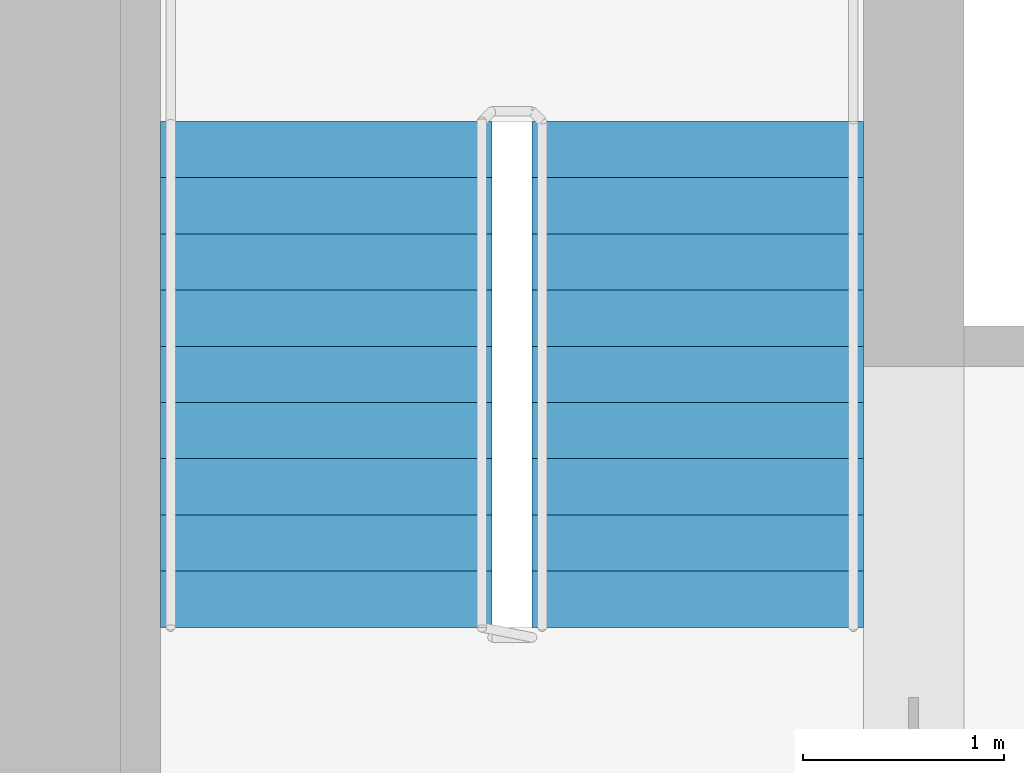
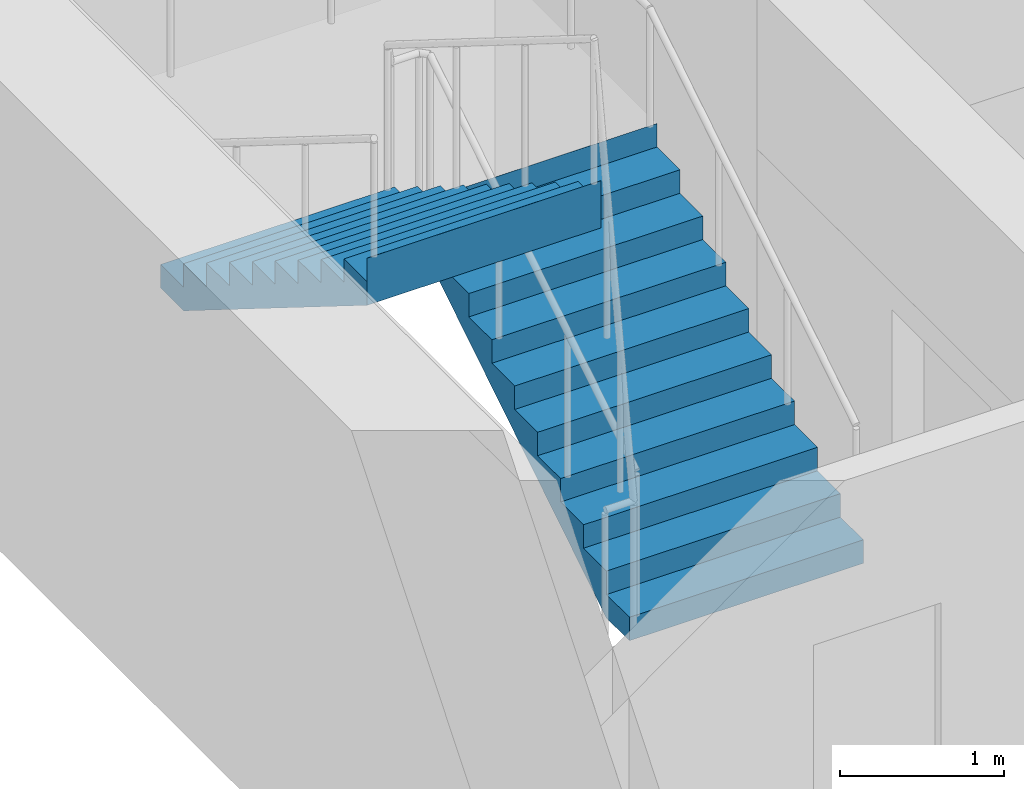
# One storey, part 13 of 14: 2 stair flights, 1 element without a shape of its own.
"""IFC4 building model written with IfcOpenShell, lengths in metres."""

from ifc_helpers import new_model, si_unit, direction, frame, origin, place, context, subcontext, project, spatial, polyline, outline, extrude, material, type_object, element, aggregate, save


model = new_model("IFC4")

# Units and contexts
model_context = context("Model", 3, precision=1e-05, world=origin(), true_north=direction((0.0, 1.0)))
body_context = subcontext(model_context, "Body", "Model", "MODEL_VIEW")
ifc_project = project(units=[si_unit("LENGTHUNIT", "METRE"), si_unit("AREAUNIT", "SQUARE_METRE"), si_unit("VOLUMEUNIT", "CUBIC_METRE"), si_unit("PLANEANGLEUNIT", "RADIAN"), si_unit("MASSUNIT", "GRAM", prefix="KILO")], contexts=[model_context])

# Site, building, storey
site_placement = place(None, origin())
site = spatial("IfcSite", under=ifc_project, at=site_placement, CompositionType="ELEMENT")
building_placement = place(site_placement, origin())
building = spatial("IfcBuilding", under=site, at=building_placement, Name="Tamorin Gate", CompositionType="ELEMENT")
storey_placement = place(building_placement, frame((0.0, 0.0, 203.699951171875)))
storey = spatial("IfcBuildingStorey", under=building, at=storey_placement, Name="L50", CompositionType="ELEMENT", Elevation=203.699951171875)

# Stair, stair flights
ifc_material = material(Name="Concrete C40/50", Category="concrete")
stair_type = type_object("IfcStairType", Name="Exit stair", PredefinedType="HALF_TURN_STAIR", material=ifc_material)
stair_placement = place(storey_placement, origin())
stair = element("IfcStair", 1, at=stair_placement, inside=storey, type_object=stair_type, Name="L50 stair ST2", PredefinedType="HALF_TURN_STAIR")
stair_flight_type = type_object("IfcStairFlightType", Name="Exit stair flight", PredefinedType="STRAIGHT", material=ifc_material)
stair_flight_1_placement = place(storey_placement, frame((33.675048828125, 77.0, 0.0), z_axis=(0.0, 0.0, 1.0), x_axis=(0.0, 1.0, 0.0)))
stair_flight_1 = element("IfcStairFlight", 2, at=stair_flight_1_placement, type_object=stair_flight_type, Name="ST2 flight 1", NumberOfRisers=10, NumberOfTreads=9, PredefinedType="STRAIGHT", RiserHeight=0.175, TreadLength=0.28, context=body_context, shape_type="SweptSolid", body=[
    extrude(outline(polyline([(-0.00048828125, 0.0), (-0.00048828125, 0.001708984375), (-0.00048828125, 0.00341796875), (-0.00048828125, 0.005126953125), (-0.00048828125, 0.0068359375), (-0.00048828125, 0.008544921875), (-0.00048828125, 0.010498046875), (-0.00048828125, 0.01220703125), (-0.00048828125, 0.013916015625), (-0.00048828125, 0.015625), (-0.00048828125, 0.017333984375), (-0.00048828125, 0.01904296875), (-0.00048828125, 0.020751953125), (-0.00048828125, 0.0224609375), (-0.00048828125, 0.024169921875), (-0.00048828125, 0.02587890625), (-0.00048828125, 0.02783203125), (-0.00048828125, 0.029541015625), (-0.00048828125, 0.03125), (-0.00048828125, 0.032958984375), (-0.00048828125, 0.03466796875), (-0.00048828125, 0.036376953125), (-0.00048828125, 0.0380859375), (-0.00048828125, 0.039794921875), (-0.00048828125, 0.04150390625), (-0.00048828125, 0.043212890625), (-0.00048828125, 0.045166015625), (-0.00048828125, 0.046875), (-0.00048828125, 0.048583984375), (-0.00048828125, 0.05029296875), (-0.00048828125, 0.052001953125), (-0.00048828125, 0.0537109375), (-0.00048828125, 0.055419921875), (-0.00048828125, 0.05712890625), (-0.00048828125, 0.058837890625), (-0.00048828125, 0.060546875), (-0.00048828125, 0.062255859375), (-0.00048828125, 0.064208984375), (-0.00048828125, 0.06591796875), (-0.00048828125, 0.067626953125), (-0.00048828125, 0.0693359375), (-0.00048828125, 0.071044921875), (-0.00048828125, 0.07275390625), (-0.00048828125, 0.074462890625), (-0.00048828125, 0.076171875), (-0.00048828125, 0.077880859375), (-0.00048828125, 0.07958984375), (-0.00048828125, 0.08154296875), (-0.00048828125, 0.083251953125), (-0.00048828125, 0.0849609375), (-0.00048828125, 0.086669921875), (-0.00048828125, 0.08837890625), (-0.00048828125, 0.090087890625), (-0.00048828125, 0.091796875), (-0.00048828125, 0.093505859375), (-0.00048828125, 0.09521484375), (-0.00048828125, 0.096923828125), (-0.00048828125, 0.098876953125), (-0.00048828125, 0.1005859375), (-0.00048828125, 0.102294921875), (-0.00048828125, 0.10400390625), (-0.00048828125, 0.105712890625), (-0.00048828125, 0.107421875), (-0.00048828125, 0.109130859375), (-0.00048828125, 0.11083984375), (-0.00048828125, 0.112548828125), (-0.00048828125, 0.1142578125), (-0.00048828125, 0.1162109375), (-0.00048828125, 0.117919921875), (-0.00048828125, 0.11962890625), (-0.00048828125, 0.121337890625), (-0.00048828125, 0.123046875), (-0.00048828125, 0.124755859375), (-0.00048828125, 0.12646484375), (-0.00048828125, 0.128173828125), (-0.00048828125, 0.1298828125), (-0.00048828125, 0.131591796875), (-0.00048828125, 0.13330078125), (-0.00048828125, 0.13525390625), (-0.00048828125, 0.136962890625), (-0.00048828125, 0.138671875), (-0.00048828125, 0.140380859375), (-0.00048828125, 0.14208984375), (-0.00048828125, 0.143798828125), (-0.00048828125, 0.1455078125), (-0.00048828125, 0.147216796875), (-0.00048828125, 0.14892578125), (-0.00048828125, 0.150634765625), (-0.00048828125, 0.152587890625), (-0.00048828125, 0.154296875), (-0.00048828125, 0.156005859375), (-0.00048828125, 0.15771484375), (-0.00048828125, 0.159423828125), (-0.00048828125, 0.1611328125), (-0.00048828125, 0.162841796875), (-0.00048828125, 0.16455078125), (-0.00048828125, 0.166259765625), (-0.00048828125, 0.16796875), (-0.00048828125, 0.169921875), (-0.00048828125, 0.171630859375), (-0.00048828125, 0.17333984375), (-0.00048828125, 0.175048828125), (0.280029296875, 0.175048828125), (0.280029296875, 0.35009765625), (0.56005859375, 0.35009765625), (0.56005859375, 0.52490234375), (0.840087890625, 0.52490234375), (0.840087890625, 0.699951171875), (1.1201171875, 0.699951171875), (1.1201171875, 0.875), (1.39990234375, 0.875), (1.39990234375, 1.050048828125), (1.679931640625, 1.050048828125), (1.679931640625, 1.22509765625), (1.9599609375, 1.22509765625), (1.9599609375, 1.39990234375), (2.239990234375, 1.39990234375), (2.239990234375, 1.574951171875), (2.52001953125, 1.574951171875), (2.52001953125, 1.75), (2.5205078125, 1.75), (2.5205078125, 1.74658203125), (2.5205078125, 1.742919921875), (2.5205078125, 1.739501953125), (2.5205078125, 1.736083984375), (2.5205078125, 1.732666015625), (2.5205078125, 1.72900390625), (2.5205078125, 1.7255859375), (2.5205078125, 1.72216796875), (2.5205078125, 1.71875), (2.5205078125, 1.715087890625), (2.5205078125, 1.711669921875), (2.5205078125, 1.708251953125), (2.5205078125, 1.704833984375), (2.5205078125, 1.701171875), (2.5205078125, 1.69775390625), (2.5205078125, 1.6943359375), (2.5205078125, 1.690673828125), (2.5205078125, 1.687255859375), (2.5205078125, 1.683837890625), (2.5205078125, 1.680419921875), (2.5205078125, 1.6767578125), (2.5205078125, 1.67333984375), (2.5205078125, 1.669921875), (2.5205078125, 1.66650390625), (2.5205078125, 1.662841796875), (2.5205078125, 1.659423828125), (2.5205078125, 1.656005859375), (2.5205078125, 1.652587890625), (2.5205078125, 1.64892578125), (2.5205078125, 1.6455078125), (2.5205078125, 1.64208984375), (2.5205078125, 1.638427734375), (2.5205078125, 1.635009765625), (2.5205078125, 1.631591796875), (2.5205078125, 1.628173828125), (2.5205078125, 1.62451171875), (2.5205078125, 1.62109375), (2.5205078125, 1.61767578125), (2.5205078125, 1.6142578125), (2.5205078125, 1.610595703125), (2.5205078125, 1.607177734375), (2.5205078125, 1.603759765625), (2.5205078125, 1.600341796875), (2.5205078125, 1.5966796875), (2.5205078125, 1.59326171875), (2.5205078125, 1.58984375), (2.5205078125, 1.58642578125), (2.5205078125, 1.582763671875), (2.5205078125, 1.579345703125), (2.5205078125, 1.575927734375), (2.5205078125, 1.572265625), (2.5205078125, 1.56884765625), (2.5205078125, 1.5654296875), (2.5205078125, 1.56201171875), (2.5205078125, 1.558349609375), (2.5205078125, 1.554931640625), (2.5205078125, 1.551513671875), (2.5205078125, 1.548095703125), (2.5205078125, 1.54443359375), (2.5205078125, 1.541015625), (2.5205078125, 1.53759765625), (2.5205078125, 1.5341796875), (2.5205078125, 1.530517578125), (2.5205078125, 1.527099609375), (2.5205078125, 1.523681640625), (2.5205078125, 1.52001953125), (2.5205078125, 1.5166015625), (2.5205078125, 1.51318359375), (2.5205078125, 1.509765625), (2.5205078125, 1.506103515625), (2.5205078125, 1.502685546875), (2.5205078125, 1.499267578125), (2.5205078125, 1.495849609375), (2.5205078125, 1.4921875), (2.5205078125, 1.48876953125), (2.5205078125, 1.4853515625), (2.5205078125, 1.48193359375), (2.5205078125, 1.478271484375), (2.5205078125, 1.474853515625), (2.5205078125, 1.471435546875), (2.5205078125, 1.4677734375), (2.5205078125, 1.46435546875), (2.5205078125, 1.4609375), (2.5205078125, 1.45751953125), (2.5205078125, 1.453857421875), (2.5205078125, 1.450439453125), (2.5205078125, 1.447021484375), (2.5205078125, 1.443603515625), (2.5205078125, 1.43994140625), (2.5205078125, 1.4365234375), (2.5205078125, 1.43310546875), (2.5205078125, 1.4296875), (2.5205078125, 1.426025390625), (2.5205078125, 1.422607421875), (2.5205078125, 1.419189453125), (2.5205078125, 1.41552734375), (2.5205078125, 1.412109375), (2.5205078125, 1.40869140625), (2.5205078125, 1.4052734375), (2.5205078125, 1.401611328125), (2.5205078125, 1.398193359375), (2.52001953125, 1.398193359375), (0.28271484375, 0.0), (-0.00048828125, 0.0)])), frame((0.0, 0.824951171875, 0.0), z_axis=(0.0, -1.0, 0.0), x_axis=(1.0, 0.0, 0.0)), (0.0, 0.0, 1.0), 1.64990234375),
])
stair_flight_2_placement = place(storey_placement, frame((31.824951171875, 79.52001953125, 1.75), z_axis=(0.0, 0.0, 1.0), x_axis=(0.0, -1.0, 0.0)))
stair_flight_2 = element("IfcStairFlight", 3, at=stair_flight_2_placement, type_object=stair_flight_type, Name="ST2 flight 2", NumberOfRisers=10, NumberOfTreads=9, PredefinedType="STRAIGHT", RiserHeight=0.175, TreadLength=0.28, context=body_context, shape_type="SweptSolid", body=[
    extrude(outline(polyline([(-0.00048828125, 0.0), (-0.00048828125, 0.001708984375), (-0.00048828125, 0.00341796875), (-0.00048828125, 0.005126953125), (-0.00048828125, 0.0068359375), (-0.00048828125, 0.008544921875), (-0.00048828125, 0.010498046875), (-0.00048828125, 0.01220703125), (-0.00048828125, 0.013916015625), (-0.00048828125, 0.015625), (-0.00048828125, 0.017333984375), (-0.00048828125, 0.01904296875), (-0.00048828125, 0.020751953125), (-0.00048828125, 0.0224609375), (-0.00048828125, 0.024169921875), (-0.00048828125, 0.02587890625), (-0.00048828125, 0.02783203125), (-0.00048828125, 0.029541015625), (-0.00048828125, 0.03125), (-0.00048828125, 0.032958984375), (-0.00048828125, 0.03466796875), (-0.00048828125, 0.036376953125), (-0.00048828125, 0.0380859375), (-0.00048828125, 0.039794921875), (-0.00048828125, 0.04150390625), (-0.00048828125, 0.043212890625), (-0.00048828125, 0.045166015625), (-0.00048828125, 0.046875), (-0.00048828125, 0.048583984375), (-0.00048828125, 0.05029296875), (-0.00048828125, 0.052001953125), (-0.00048828125, 0.0537109375), (-0.00048828125, 0.055419921875), (-0.00048828125, 0.05712890625), (-0.00048828125, 0.058837890625), (-0.00048828125, 0.060546875), (-0.00048828125, 0.062255859375), (-0.00048828125, 0.064208984375), (-0.00048828125, 0.06591796875), (-0.00048828125, 0.067626953125), (-0.00048828125, 0.0693359375), (-0.00048828125, 0.071044921875), (-0.00048828125, 0.07275390625), (-0.00048828125, 0.074462890625), (-0.00048828125, 0.076171875), (-0.00048828125, 0.077880859375), (-0.00048828125, 0.07958984375), (-0.00048828125, 0.08154296875), (-0.00048828125, 0.083251953125), (-0.00048828125, 0.0849609375), (-0.00048828125, 0.086669921875), (-0.00048828125, 0.08837890625), (-0.00048828125, 0.090087890625), (-0.00048828125, 0.091796875), (-0.00048828125, 0.093505859375), (-0.00048828125, 0.09521484375), (-0.00048828125, 0.096923828125), (-0.00048828125, 0.098876953125), (-0.00048828125, 0.1005859375), (-0.00048828125, 0.102294921875), (-0.00048828125, 0.10400390625), (-0.00048828125, 0.105712890625), (-0.00048828125, 0.107421875), (-0.00048828125, 0.109130859375), (-0.00048828125, 0.11083984375), (-0.00048828125, 0.112548828125), (-0.00048828125, 0.1142578125), (-0.00048828125, 0.1162109375), (-0.00048828125, 0.117919921875), (-0.00048828125, 0.11962890625), (-0.00048828125, 0.121337890625), (-0.00048828125, 0.123046875), (-0.00048828125, 0.124755859375), (-0.00048828125, 0.12646484375), (-0.00048828125, 0.128173828125), (-0.00048828125, 0.1298828125), (-0.00048828125, 0.131591796875), (-0.00048828125, 0.13330078125), (-0.00048828125, 0.13525390625), (-0.00048828125, 0.136962890625), (-0.00048828125, 0.138671875), (-0.00048828125, 0.140380859375), (-0.00048828125, 0.14208984375), (-0.00048828125, 0.143798828125), (-0.00048828125, 0.1455078125), (-0.00048828125, 0.147216796875), (-0.00048828125, 0.14892578125), (-0.00048828125, 0.150634765625), (-0.00048828125, 0.152587890625), (-0.00048828125, 0.154296875), (-0.00048828125, 0.156005859375), (-0.00048828125, 0.15771484375), (-0.00048828125, 0.159423828125), (-0.00048828125, 0.1611328125), (-0.00048828125, 0.162841796875), (-0.00048828125, 0.16455078125), (-0.00048828125, 0.166259765625), (-0.00048828125, 0.16796875), (-0.00048828125, 0.169921875), (-0.00048828125, 0.171630859375), (-0.00048828125, 0.17333984375), (-0.00048828125, 0.175048828125), (0.280029296875, 0.175048828125), (0.280029296875, 0.35009765625), (0.56005859375, 0.35009765625), (0.56005859375, 0.52490234375), (0.840087890625, 0.52490234375), (0.840087890625, 0.699951171875), (1.1201171875, 0.699951171875), (1.1201171875, 0.875), (1.39990234375, 0.875), (1.39990234375, 1.050048828125), (1.679931640625, 1.050048828125), (1.679931640625, 1.22509765625), (1.9599609375, 1.22509765625), (1.9599609375, 1.39990234375), (2.239990234375, 1.39990234375), (2.239990234375, 1.574951171875), (2.52001953125, 1.574951171875), (2.52001953125, 1.75), (2.5205078125, 1.75), (2.5205078125, 1.74658203125), (2.5205078125, 1.742919921875), (2.5205078125, 1.739501953125), (2.5205078125, 1.736083984375), (2.5205078125, 1.732666015625), (2.5205078125, 1.72900390625), (2.5205078125, 1.7255859375), (2.5205078125, 1.72216796875), (2.5205078125, 1.71875), (2.5205078125, 1.715087890625), (2.5205078125, 1.711669921875), (2.5205078125, 1.708251953125), (2.5205078125, 1.704833984375), (2.5205078125, 1.701171875), (2.5205078125, 1.69775390625), (2.5205078125, 1.6943359375), (2.5205078125, 1.690673828125), (2.5205078125, 1.687255859375), (2.5205078125, 1.683837890625), (2.5205078125, 1.680419921875), (2.5205078125, 1.6767578125), (2.5205078125, 1.67333984375), (2.5205078125, 1.669921875), (2.5205078125, 1.66650390625), (2.5205078125, 1.662841796875), (2.5205078125, 1.659423828125), (2.5205078125, 1.656005859375), (2.5205078125, 1.652587890625), (2.5205078125, 1.64892578125), (2.5205078125, 1.6455078125), (2.5205078125, 1.64208984375), (2.5205078125, 1.638427734375), (2.5205078125, 1.635009765625), (2.5205078125, 1.631591796875), (2.5205078125, 1.628173828125), (2.5205078125, 1.62451171875), (2.5205078125, 1.62109375), (2.5205078125, 1.61767578125), (2.5205078125, 1.6142578125), (2.5205078125, 1.610595703125), (2.5205078125, 1.607177734375), (2.5205078125, 1.603759765625), (2.5205078125, 1.600341796875), (2.5205078125, 1.5966796875), (2.5205078125, 1.59326171875), (2.5205078125, 1.58984375), (2.5205078125, 1.58642578125), (2.5205078125, 1.582763671875), (2.5205078125, 1.579345703125), (2.5205078125, 1.575927734375), (2.5205078125, 1.572265625), (2.5205078125, 1.56884765625), (2.5205078125, 1.5654296875), (2.5205078125, 1.56201171875), (2.5205078125, 1.558349609375), (2.5205078125, 1.554931640625), (2.5205078125, 1.551513671875), (2.5205078125, 1.548095703125), (2.5205078125, 1.54443359375), (2.5205078125, 1.541015625), (2.5205078125, 1.53759765625), (2.5205078125, 1.5341796875), (2.5205078125, 1.530517578125), (2.5205078125, 1.527099609375), (2.5205078125, 1.523681640625), (2.5205078125, 1.52001953125), (2.5205078125, 1.5166015625), (2.5205078125, 1.51318359375), (2.5205078125, 1.509765625), (2.5205078125, 1.506103515625), (2.5205078125, 1.502685546875), (2.5205078125, 1.499267578125), (2.5205078125, 1.495849609375), (2.5205078125, 1.4921875), (2.5205078125, 1.48876953125), (2.5205078125, 1.4853515625), (2.5205078125, 1.48193359375), (2.5205078125, 1.478271484375), (2.5205078125, 1.474853515625), (2.5205078125, 1.471435546875), (2.5205078125, 1.4677734375), (2.5205078125, 1.46435546875), (2.5205078125, 1.4609375), (2.5205078125, 1.45751953125), (2.5205078125, 1.453857421875), (2.5205078125, 1.450439453125), (2.5205078125, 1.447021484375), (2.5205078125, 1.443603515625), (2.5205078125, 1.43994140625), (2.5205078125, 1.4365234375), (2.5205078125, 1.43310546875), (2.5205078125, 1.4296875), (2.5205078125, 1.426025390625), (2.5205078125, 1.422607421875), (2.5205078125, 1.419189453125), (2.5205078125, 1.41552734375), (2.5205078125, 1.412109375), (2.5205078125, 1.40869140625), (2.5205078125, 1.4052734375), (2.5205078125, 1.401611328125), (2.5205078125, 1.398193359375), (2.52001953125, 1.398193359375), (0.28271484375, 0.0), (-0.00048828125, 0.0)])), frame((0.0, 0.824951171875, 0.0), z_axis=(0.0, -1.0, 0.0), x_axis=(1.0, 0.0, 0.0)), (0.0, 0.0, 1.0), 1.64990234375),
])
aggregate(stair, [stair_flight_1, stair_flight_2])

save(model, "model.ifc")
